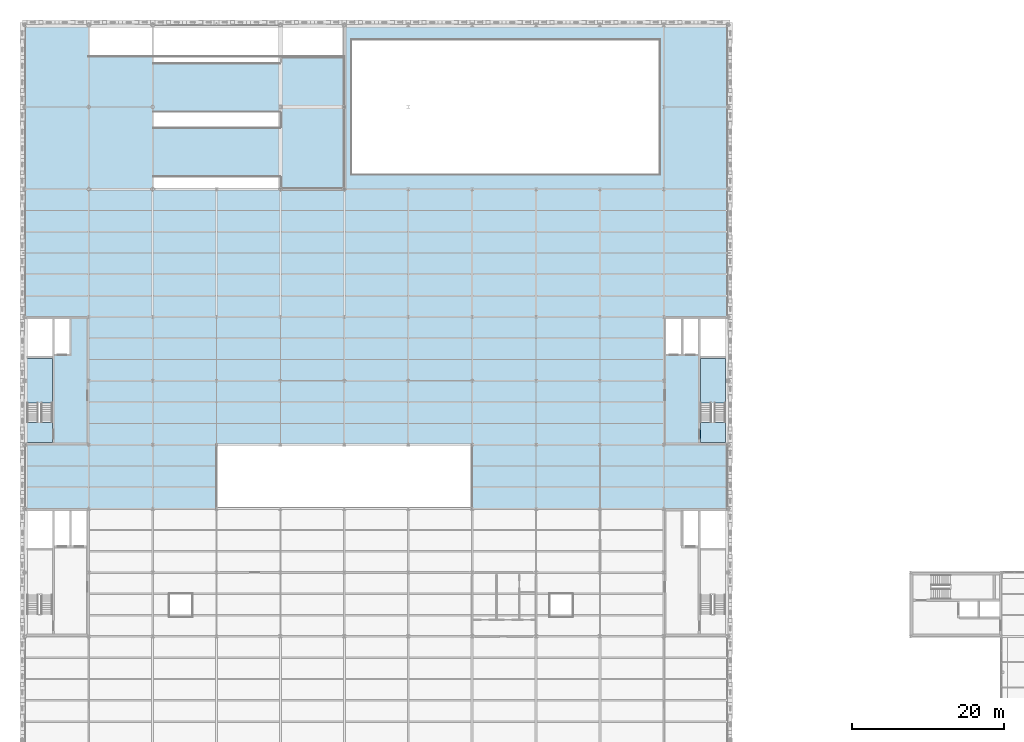
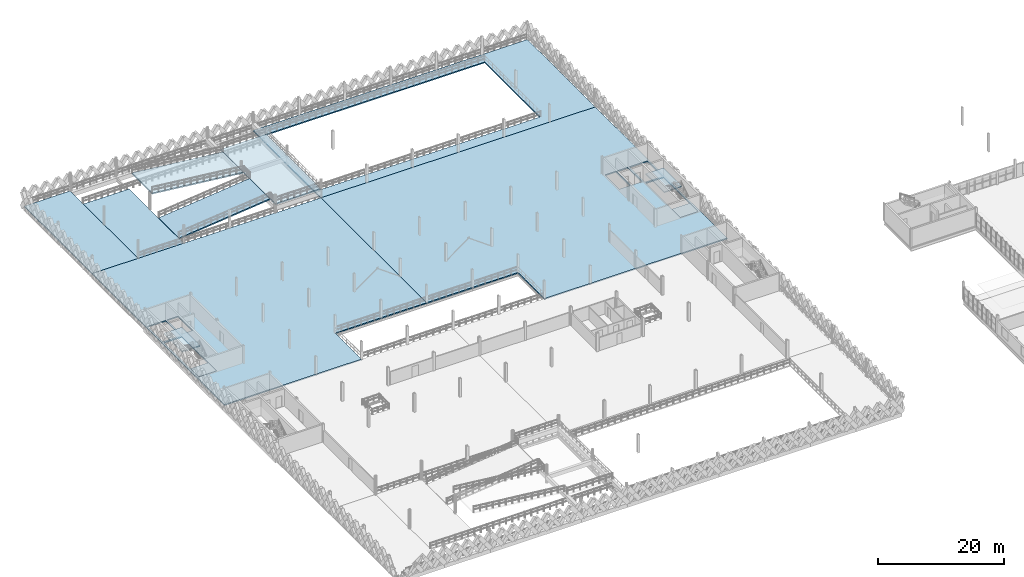
# One storey, part 50 of 79: 12 slabs, 2 elements without a shape of their own.
"""IFC4 building model written with IfcOpenShell, lengths in metres."""

from ifc_helpers import new_model, si_unit, direction, frame, origin, place, context, subcontext, project, spatial, polyline, outline, extrude, material, layer, layer_set, type_object, element, aggregate, save


model = new_model("IFC4")

# Units and contexts
model_context = context("Model", 3, precision=1e-05, world=origin(), true_north=direction((0.0, 1.0)))
body_context = subcontext(model_context, "Body", "Model", "MODEL_VIEW")
ifc_project = project(units=[si_unit("LENGTHUNIT", "METRE"), si_unit("AREAUNIT", "SQUARE_METRE"), si_unit("VOLUMEUNIT", "CUBIC_METRE"), si_unit("PLANEANGLEUNIT", "RADIAN"), si_unit("MASSUNIT", "GRAM", prefix="KILO"), si_unit("THERMODYNAMICTEMPERATUREUNIT", "KELVIN"), si_unit("POWERUNIT", "WATT")], contexts=[model_context])

# Site, building, storey
site_placement = place(None, origin())
site = spatial("IfcSite", under=ifc_project, at=site_placement, CompositionType="ELEMENT")
building_placement = place(site_placement, origin())
building = spatial("IfcBuilding", under=site, at=building_placement, Name="Tembeka Court Mobility Hub", CompositionType="ELEMENT")
storey_placement = place(building_placement, frame((0.0, 0.0, 9.0)))
storey = spatial("IfcBuildingStorey", under=building, at=storey_placement, Name="L02", CompositionType="ELEMENT", Elevation=9.0)

# Slabs
ifc_material = material(Name="Concrete C40/50", Category="concrete")
ifc_layer_1 = layer(ifc_material, 0.219970703125)
ifc_layer_set_1 = layer_set([ifc_layer_1], Name="Concrete C40/50")
slab_type_1 = type_object("IfcSlabType", Name="SL-FL02", PredefinedType="FLOOR", material=ifc_layer_set_1)
slab_1_placement = place(storey_placement, frame((0.0, 0.0, -0.219970703125)))
element("IfcSlab", 1, at=slab_1_placement, inside=storey, type_object=slab_type_1, Name="L02 ramped EV parking deck (V1NW)", PredefinedType="FLOOR", context=body_context, shape_type="SweptSolid", body=[
    extrude(outline(polyline([(0.0, 55.199951171875), (25.199951171875, 55.199951171875), (25.199951171875, 63.60009765625), (42.0, 63.60009765625), (42.0, 97.199951171875), (0.0, 97.199951171875), (0.0, 55.199951171875)]), holes=[polyline([(0.300048828125, 74.949951171875), (3.60009765625, 74.949951171875), (3.60009765625, 63.89990234375), (0.300048828125, 63.89990234375), (0.300048828125, 74.949951171875)]), polyline([(3.89990234375, 80.10009765625), (5.89990234375, 80.10009765625), (5.89990234375, 75.550048828125), (3.89990234375, 75.550048828125), (3.89990234375, 80.10009765625)]), polyline([(0.300048828125, 80.10009765625), (3.60009765625, 80.10009765625), (3.60009765625, 75.25), (0.300048828125, 75.25), (0.300048828125, 80.10009765625)])]), origin(), (0.0, 0.0, 1.0), 0.219970703125),
])
slab_2_placement = place(storey_placement, frame((0.0, 0.0, -0.219970703125)))
element("IfcSlab", 2, at=slab_2_placement, inside=storey, type_object=slab_type_1, Name="L02 ramped EV parking deck (V1NE)", PredefinedType="FLOOR", context=body_context, shape_type="SweptSolid", body=[
    extrude(outline(polyline([(42.0, 63.60009765625), (58.800048828125, 63.60009765625), (58.800048828125, 55.199951171875), (92.39990234375, 55.199951171875), (92.39990234375, 97.199951171875), (42.0, 97.199951171875), (42.0, 63.60009765625)]), holes=[polyline([(88.800048828125, 74.949951171875), (92.10009765625, 74.949951171875), (92.10009765625, 63.89990234375), (88.800048828125, 63.89990234375), (88.800048828125, 74.949951171875)]), polyline([(84.300048828125, 80.10009765625), (86.300048828125, 80.10009765625), (86.300048828125, 75.550048828125), (84.300048828125, 75.550048828125), (84.300048828125, 80.10009765625)]), polyline([(86.5, 80.10009765625), (88.5, 80.10009765625), (88.5, 75.550048828125), (86.5, 75.550048828125), (86.5, 80.10009765625)]), polyline([(88.800048828125, 80.10009765625), (92.10009765625, 80.10009765625), (92.10009765625, 75.25), (88.800048828125, 75.25), (88.800048828125, 80.10009765625)])]), origin(), (0.0, 0.0, 1.0), 0.219970703125),
])
slab_3_placement = place(storey_placement, frame((0.0, 0.0, -0.219970703125)))
element("IfcSlab", 3, at=slab_3_placement, inside=storey, type_object=slab_type_1, Name="L02 North-West ramp perimeter deck", PredefinedType="FLOOR", context=body_context, shape_type="SweptSolid", body=[
    extrude(outline(polyline([(0.0, 97.199951171875), (8.39990234375, 97.199951171875), (8.39990234375, 118.800048828125), (0.0, 118.800048828125), (0.0, 97.199951171875)])), origin(), (0.0, 0.0, 1.0), 0.219970703125),
])
slab_4_placement = place(storey_placement, frame((0.0, 0.0, -0.219970703125)))
element("IfcSlab", 4, at=slab_4_placement, inside=storey, type_object=slab_type_1, Name="L02 North-East EV deck", PredefinedType="FLOOR", context=body_context, shape_type="SweptSolid", body=[
    extrude(outline(polyline([(42.0, 97.199951171875), (92.39990234375, 97.199951171875), (92.39990234375, 118.800048828125), (42.0, 118.800048828125), (42.0, 97.199951171875)]), holes=[polyline([(43.0, 116.800048828125), (83.39990234375, 116.800048828125), (83.39990234375, 99.199951171875), (43.0, 99.199951171875), (43.0, 116.800048828125)])]), origin(), (0.0, 0.0, 1.0), 0.219970703125),
])
ifc_layer_2 = layer(ifc_material, 0.199951171875)
ifc_layer_set_2 = layer_set([ifc_layer_2], Name="Concrete C40/50")
slab_type_2 = type_object("IfcSlabType", Name="SL-LD01", PredefinedType="LANDING", material=ifc_layer_set_2)
slab_5_placement = place(storey_placement, frame((0.0, 0.0, -0.25)))
element("IfcSlab", 5, at=slab_5_placement, inside=storey, type_object=slab_type_2, Name="Car park vehicle ramp North R1 L02 west landing", PredefinedType="LANDING", context=body_context, shape_type="SweptSolid", body=[
    extrude(outline(polyline([(8.39990234375, 97.199951171875), (16.800048828125, 97.199951171875), (16.800048828125, 114.60009765625), (8.39990234375, 114.60009765625), (8.39990234375, 97.199951171875)])), origin(), (0.0, 0.0, 1.0), 0.25),
])
slab_6_placement = place(storey_placement, frame((0.0, 0.0, 1.550048828125)))
element("IfcSlab", 6, at=slab_6_placement, inside=storey, type_object=slab_type_2, Name="Car park vehicle ramp North R1 L02 half landing", PredefinedType="LANDING", context=body_context, shape_type="SweptSolid", body=[
    extrude(outline(polyline([(33.60009765625, 97.199951171875), (42.0, 97.199951171875), (42.0, 114.60009765625), (33.60009765625, 114.60009765625), (33.60009765625, 97.199951171875)])), origin(), (0.0, 0.0, 1.0), 0.25),
])
slab_7_placement = place(storey_placement, frame((0.0, 0.0, -0.25)))
element("IfcSlab", 7, at=slab_7_placement, inside=storey, type_object=slab_type_2, Name="Stair ST02 L02 floor landing slab", PredefinedType="LANDING", context=body_context, shape_type="SweptSolid", body=[
    extrude(outline(polyline([(88.800048828125, 63.89990234375), (92.10009765625, 63.89990234375), (92.10009765625, 66.550048828125), (88.800048828125, 66.550048828125), (88.800048828125, 63.89990234375)])), origin(), (0.0, 0.0, 1.0), 0.25),
])

# Stair, slab
stair_type_1 = type_object("IfcStairType", Name="STR-ST02L02", PredefinedType="HALF_TURN_STAIR", material=ifc_material)
stair_1_placement = place(storey_placement, origin())
stair_1 = element("IfcStair", 8, at=stair_1_placement, inside=storey, type_object=stair_type_1, Name="Protected exit stair ST02 (L02)", PredefinedType="HALF_TURN_STAIR")
slab_8_placement = place(storey_placement, frame((0.0, 0.0, 1.60009765625)))
slab_8 = element("IfcSlab", 9, at=slab_8_placement, type_object=slab_type_2, Name="ST02L02 landing 1", PredefinedType="LANDING", context=body_context, shape_type="SweptSolid", body=[
    extrude(outline(polyline([(92.10009765625, 69.070068359375), (92.10009765625, 74.949951171875), (88.800048828125, 74.949951171875), (88.800048828125, 69.070068359375), (92.10009765625, 69.070068359375)])), origin(), (0.0, 0.0, 1.0), 0.199951171875),
])
aggregate(stair_1, [slab_8])

# Slab
slab_9_placement = place(storey_placement, frame((0.0, 0.0, -0.25)))
element("IfcSlab", 10, at=slab_9_placement, inside=storey, type_object=slab_type_2, Name="Stair ST03 L02 floor landing slab", PredefinedType="LANDING", context=body_context, shape_type="SweptSolid", body=[
    extrude(outline(polyline([(0.300048828125, 63.89990234375), (3.60009765625, 63.89990234375), (3.60009765625, 66.550048828125), (0.300048828125, 66.550048828125), (0.300048828125, 63.89990234375)])), origin(), (0.0, 0.0, 1.0), 0.25),
])

# Stair, slab
stair_type_2 = type_object("IfcStairType", Name="STR-ST03L02", PredefinedType="HALF_TURN_STAIR", material=ifc_material)
stair_2_placement = place(storey_placement, origin())
stair_2 = element("IfcStair", 11, at=stair_2_placement, inside=storey, type_object=stair_type_2, Name="Protected exit stair ST03 (L02)", PredefinedType="HALF_TURN_STAIR")
slab_10_placement = place(storey_placement, frame((0.0, 0.0, 1.60009765625)))
slab_10 = element("IfcSlab", 12, at=slab_10_placement, type_object=slab_type_2, Name="ST03L02 landing 1", PredefinedType="LANDING", context=body_context, shape_type="SweptSolid", body=[
    extrude(outline(polyline([(3.60009765625, 69.070068359375), (3.60009765625, 74.949951171875), (0.300048828125, 74.949951171875), (0.300048828125, 69.070068359375), (3.60009765625, 69.070068359375)])), origin(), (0.0, 0.0, 1.0), 0.199951171875),
])
aggregate(stair_2, [slab_10])

# Slabs
ifc_layer_3 = layer(ifc_material, 0.235107421875)
ifc_layer_set_3 = layer_set([ifc_layer_3], Name="Concrete C40/50")
slab_type_3 = type_object("IfcSlabType", Name="SL-RP01", PredefinedType="FLOOR", material=ifc_layer_set_3)
slab_11_placement = place(storey_placement, frame((16.840087890625, 98.800048828125, 0.0), z_axis=(-0.107040081036, 0.0, 0.994254706326), x_axis=(0.994254706326, 0.0, 0.107040081036)))
element("IfcSlab", 13, at=slab_11_placement, inside=storey, type_object=slab_type_3, Name="Car park vehicle ramp North R1 L02 structural ramp slab 1", PredefinedType="FLOOR", context=body_context, shape_type="SweptSolid", body=[
    extrude(outline(polyline([(0.0, 0.0), (16.816586933649543, 0.0), (16.816586933649543, 6.5), (0.0, 6.5), (0.0, 0.0)])), origin(), (0.0, 0.0, -1.0), 0.235107421875),
])
slab_12_placement = place(storey_placement, frame((33.56005859375, 107.300048828125, 1.800048828125), z_axis=(0.107040081036, 0.0, 0.994254706326), x_axis=(-0.994254706326, 0.0, 0.107040081036)))
element("IfcSlab", 14, at=slab_12_placement, inside=storey, type_object=slab_type_3, Name="Car park vehicle ramp North R1 L02 structural ramp slab 2", PredefinedType="FLOOR", context=body_context, shape_type="SweptSolid", body=[
    extrude(outline(polyline([(0.0, 0.0), (16.816586933649543, 0.0), (16.816586933649543, -6.5), (0.0, -6.5), (0.0, 0.0)])), origin(), (0.0, 0.0, -1.0), 0.235107421875),
])

save(model, "model.ifc")
